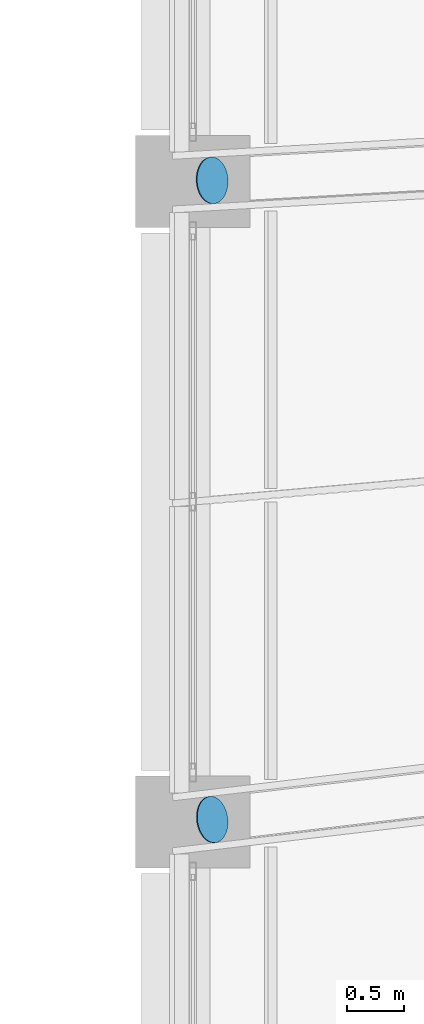
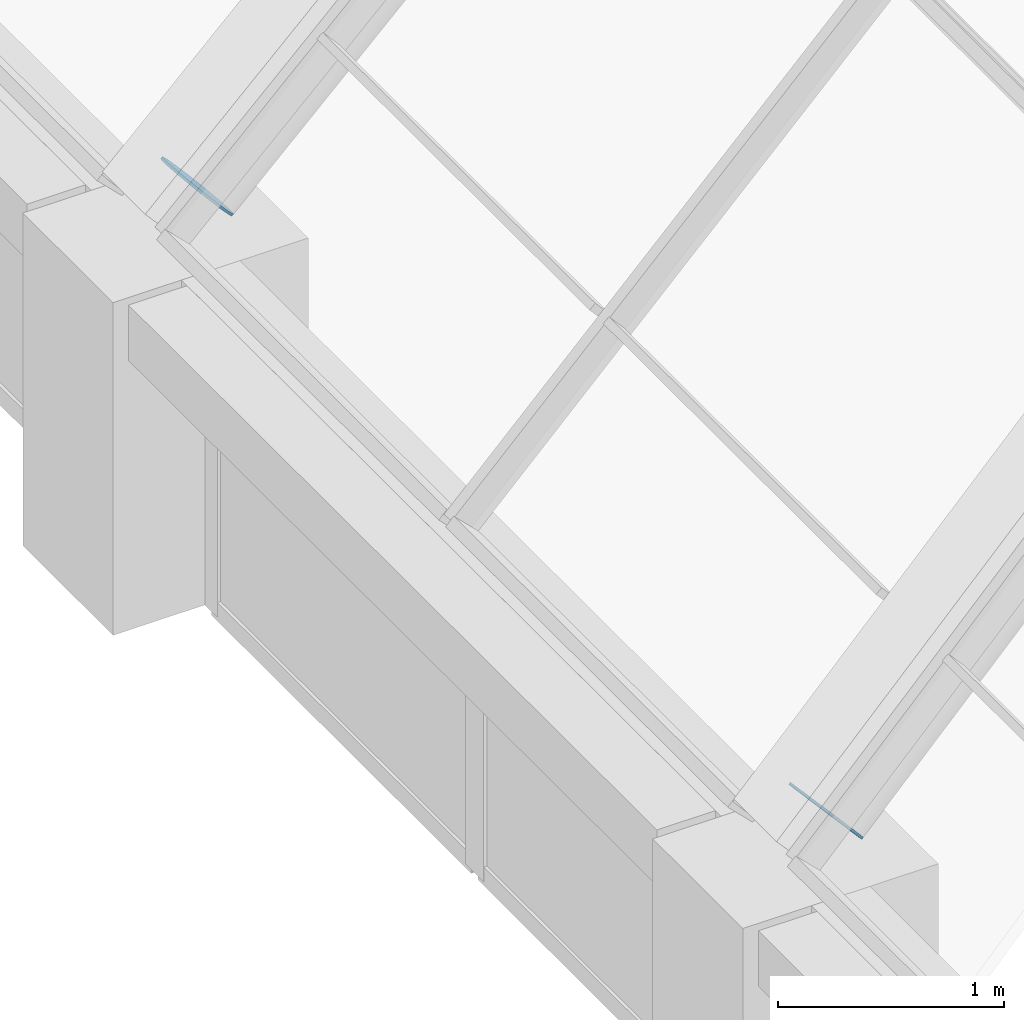
# One storey, part 159 of 182: 2 discrete accessories.
"""IFC4 building model written with IfcOpenShell, lengths in metres."""

from ifc_helpers import new_model, si_unit, direction, frame, origin, origin_2d, place, context, subcontext, project, spatial, circle, extrude, material, layer, layer_set, type_object, element, save


model = new_model("IFC4")

# Units and contexts
model_context = context("Model", 3, precision=1e-05, world=origin(), true_north=direction((0.0, 1.0)))
body_context = subcontext(model_context, "Body", "Model", "MODEL_VIEW")
ifc_project = project(units=[si_unit("LENGTHUNIT", "METRE"), si_unit("AREAUNIT", "SQUARE_METRE"), si_unit("VOLUMEUNIT", "CUBIC_METRE"), si_unit("PLANEANGLEUNIT", "RADIAN"), si_unit("MASSUNIT", "GRAM", prefix="KILO")], contexts=[model_context])

# Site, building, storey
site_placement = place(None, origin())
site = spatial("IfcSite", under=ifc_project, at=site_placement, CompositionType="ELEMENT")
building_placement = place(site_placement, origin())
building = spatial("IfcBuilding", under=site, at=building_placement, Name="Okhra Congress Centre", CompositionType="ELEMENT")
storey_placement = place(building_placement, frame((0.0, 0.0, 7.199951171875)))
storey = spatial("IfcBuildingStorey", under=building, at=storey_placement, Name="L01", CompositionType="ELEMENT", Elevation=7.199951171875)

# Discrete accessories
ifc_material = material(Name="Steel S355J2", Category="steel")
ifc_layer = layer(ifc_material, 0.011962890625)
ifc_layer_set = layer_set([ifc_layer], Name="Hollow section end cap 12 mm S355")
discrete_accessory_type = type_object("IfcDiscreteAccessoryType", Name="Hollow section end cap 12 mm S355", PredefinedType="BRACKET", material=ifc_layer_set)
discrete_accessory_1_placement = place(storey_placement, frame((155.671875, 79.851806640625, 1.952392578125), z_axis=(-0.752442947173, -0.101681479348, -0.650761467826), x_axis=(0.133917896001, -0.99099243041, 0.0)))
element("IfcDiscreteAccessory", 1, at=discrete_accessory_1_placement, inside=storey, type_object=discrete_accessory_type, Name="Hollow section end cap", PredefinedType="BRACKET", context=body_context, shape_type="SweptSolid", body=[
    extrude(circle(Radius=0.203125, at=origin_2d()), origin(), (0.0, 0.0, 1.0), 0.011962890625),
])
discrete_accessory_2_placement = place(storey_placement, frame((155.67138671875, 85.42529296875, 1.9521484375), z_axis=(-0.745688936656, -0.04030751009, -0.665073916477), x_axis=(0.053975258015, -0.998542273278, 0.0)))
element("IfcDiscreteAccessory", 2, at=discrete_accessory_2_placement, inside=storey, type_object=discrete_accessory_type, Name="Hollow section end cap", PredefinedType="BRACKET", context=body_context, shape_type="SweptSolid", body=[
    extrude(circle(Radius=0.203125, at=origin_2d()), origin(), (0.0, 0.0, 1.0), 0.01220703125),
])

save(model, "model.ifc")
